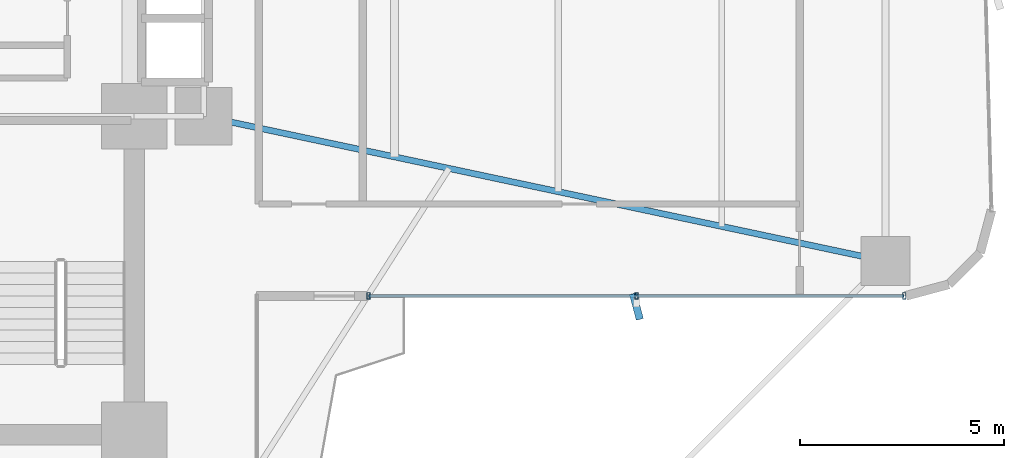
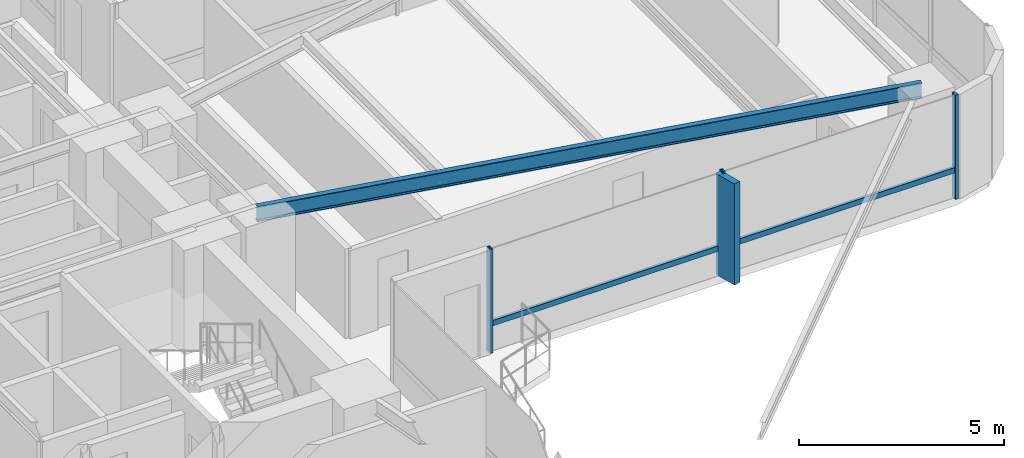
# One storey, part 14 of 25: 6 members, 1 beam, 1 element without a shape of its own.
"""IFC4 building model written with IfcOpenShell, lengths in metres."""

from ifc_helpers import new_model, si_unit, direction, frame, origin, origin_2d, place, context, subcontext, project, spatial, rectangle, hollow_rectangle, i_section, extrude, source, transform, mapped, material, material_profile, profile_set, type_object, element, aggregate, save


model = new_model("IFC4")

# Units and contexts
model_context = context("Model", 3, precision=1e-05, world=origin(), true_north=direction((0.0, 1.0)))
body_context = subcontext(model_context, "Body", "Model", "MODEL_VIEW")
ifc_project = project(units=[si_unit("LENGTHUNIT", "METRE"), si_unit("AREAUNIT", "SQUARE_METRE"), si_unit("VOLUMEUNIT", "CUBIC_METRE"), si_unit("PLANEANGLEUNIT", "RADIAN"), si_unit("MASSUNIT", "GRAM", prefix="KILO")], contexts=[model_context])

# Site, building, storey
site_placement = place(None, origin())
site = spatial("IfcSite", under=ifc_project, at=site_placement, CompositionType="ELEMENT")
building_placement = place(site_placement, origin())
building = spatial("IfcBuilding", under=site, at=building_placement, Name="Sahyath Konkavel Grand Hotel", CompositionType="ELEMENT")
storey_placement = place(building_placement, frame((0.0, 0.0, 64.449951171875)))
storey = spatial("IfcBuildingStorey", under=building, at=storey_placement, Name="L17", CompositionType="ELEMENT", Elevation=64.449951171875)

# Beam
ifc_material_1 = material(Name="Steel E350", Category="steel")
ifc_material_profile_1 = material_profile(ifc_material_1, i_section(OverallWidth=0.14990234375, OverallDepth=0.449951171875, WebThickness=0.009521484375, FlangeThickness=0.017333984375, FilletRadius=0.014892578125, at=origin_2d()), Name="ISMB 450")
ifc_profile_set_1 = profile_set([ifc_material_profile_1], Name="Steel E350")
beam_type = type_object("IfcBeamType", Name="BM-ISMB450", PredefinedType="BEAM", material=ifc_profile_set_1)
shared_shape_1 = source(origin(), body_context, "Body", "SweptSolid", [
    extrude(i_section(OverallWidth=0.14990234375, OverallDepth=0.449951171875, WebThickness=0.009521484375, FlangeThickness=0.017333984375, FilletRadius=0.014892578125, at=origin_2d()), origin(), (0.0, 0.0, 1.0), 17.072998046875),
])
beam_placement = place(storey_placement, frame((5.5, -2.39990234375, 2.885009765625), z_axis=(0.978143257225, -0.20793212437, 0.0), x_axis=(0.20793212437, 0.978143257225, 0.0)))
element("IfcBeam", 1, at=beam_placement, inside=storey, type_object=beam_type, Name="L17 Cruciform Radial Girder EA", PredefinedType="BEAM", context=body_context, shape_type="MappedRepresentation", body=[
    mapped(shared_shape_1, transform((0.0, 0.0, 0.0), scale=1.0)),
])

# Curtain wall, members
ifc_material_2 = material(Name="Anodised Bronze Aluminium & Low-E Glazing", Category="aluminium")
curtain_wall_type = type_object("IfcCurtainWallType", Name="CW-ZONE1", PredefinedType="NOTDEFINED", material=ifc_material_2)
curtain_wall_placement = place(storey_placement, origin())
curtain_wall = element("IfcCurtainWall", 2, at=curtain_wall_placement, inside=storey, type_object=curtain_wall_type, Name="L17 Unitised Curtain Wall F0", PredefinedType="NOTDEFINED")
ifc_material_3 = material(Name="Warm Buff Sandstone Cladding on Concrete C50/60", Category="masonry")
ifc_material_profile_2 = material_profile(ifc_material_3, rectangle(XDim=0.179931640625, YDim=0.64990234375, at=origin_2d()), Name="FIN 180x650")
ifc_profile_set_2 = profile_set([ifc_material_profile_2], Name="Warm Buff Sandstone Cladding on Concrete C50/60")
member_type_1 = type_object("IfcMemberType", Name="FIN-SANDSTONE-650", PredefinedType="MULLION", material=ifc_profile_set_2)
shared_shape_2 = source(origin(), body_context, "Body", "SweptSolid", [
    extrude(rectangle(XDim=0.179931640625, YDim=0.64990234375, at=origin_2d()), origin(), (0.0, 0.0, 1.0), 3.010009765625),
])
member_1_placement = place(storey_placement, frame((16.10009765625, -7.06005859375, 0.050048828125), z_axis=(0.0, 0.0, 1.0), x_axis=(0.966420942741, 0.256964124795, 0.0)))
member_1 = element("IfcMember", 3, at=member_1_placement, type_object=member_type_1, Name="L17 Sandstone Vertical Solar Fin FIN F0-1", PredefinedType="MULLION", context=body_context, shape_type="MappedRepresentation", body=[
    mapped(shared_shape_2, transform((0.0, 0.0, 0.0), scale=1.0)),
])
ifc_material_4 = material(Name="Anodised Bronze Aluminium", Category="aluminium")
ifc_material_profile_3 = material_profile(ifc_material_4, hollow_rectangle(XDim=0.080078125, YDim=0.159912109375, WallThickness=0.006103515625, at=origin_2d()), Name="RHS 160x80x6")
ifc_profile_set_3 = profile_set([ifc_material_profile_3], Name="Anodised Bronze Aluminium")
member_type_2 = type_object("IfcMemberType", Name="CW-MUL-160", PredefinedType="MULLION", material=ifc_profile_set_3)
shared_shape_3 = source(origin(), body_context, "Body", "SweptSolid", [
    extrude(hollow_rectangle(XDim=0.080078125, YDim=0.159912109375, WallThickness=0.006103515625, at=origin_2d()), origin(), (0.0, 0.0, 1.0), 3.110107421875),
])
member_2_placement = place(storey_placement, frame((9.5400390625, -6.800048828125, 0.0), z_axis=(0.0, 0.0, 1.0), x_axis=(1.0, 0.0, 0.0)))
member_2 = element("IfcMember", 4, at=member_2_placement, type_object=member_type_2, Name="L17 Curtain Wall Mullion F0-0", PredefinedType="MULLION", context=body_context, shape_type="MappedRepresentation", body=[
    mapped(shared_shape_3, transform((0.0, 0.0, 0.0), scale=1.0)),
])
member_3_placement = place(storey_placement, frame((16.10009765625, -6.800048828125, 0.0), z_axis=(0.0, 0.0, 1.0), x_axis=(1.0, 0.0, 0.0)))
member_3 = element("IfcMember", 5, at=member_3_placement, type_object=member_type_2, Name="L17 Curtain Wall Mullion F0-1", PredefinedType="MULLION", context=body_context, shape_type="MappedRepresentation", body=[
    mapped(shared_shape_3, transform((0.0, 0.0, 0.0), scale=1.0)),
])
member_4_placement = place(storey_placement, frame((22.659912109375, -6.800048828125, 0.0), z_axis=(0.0, 0.0, 1.0), x_axis=(1.0, 0.0, 0.0)))
member_4 = element("IfcMember", 6, at=member_4_placement, type_object=member_type_2, Name="L17 Curtain Wall Mullion F0-2", PredefinedType="MULLION", context=body_context, shape_type="MappedRepresentation", body=[
    mapped(shared_shape_3, transform((0.0, 0.0, 0.0), scale=1.0)),
])
ifc_material_profile_4 = material_profile(ifc_material_4, hollow_rectangle(XDim=0.080078125, YDim=0.159912109375, WallThickness=0.006103515625, at=origin_2d()), Name="RHS 160x80x6")
ifc_profile_set_4 = profile_set([ifc_material_profile_4], Name="Anodised Bronze Aluminium")
member_type_3 = type_object("IfcMemberType", Name="CW-TRN-160", PredefinedType="USERDEFINED", material=ifc_profile_set_4)
shared_shape_4 = source(origin(), body_context, "Body", "SweptSolid", [
    extrude(hollow_rectangle(XDim=0.080078125, YDim=0.159912109375, WallThickness=0.006103515625, at=origin_2d()), origin(), (0.0, 0.0, 1.0), 6.56005859375),
])
member_5_placement = place(storey_placement, frame((9.5400390625, -6.800048828125, 0.85009765625), z_axis=(1.0, 0.0, 0.0), x_axis=(0.0, 1.0, 0.0)))
member_5 = element("IfcMember", 7, at=member_5_placement, type_object=member_type_3, Name="L17 Curtain Wall Transom F0-0-spandrel", ObjectType="TRANSOM", PredefinedType="USERDEFINED", context=body_context, shape_type="MappedRepresentation", body=[
    mapped(shared_shape_4, transform((0.0, 0.0, 0.0), scale=1.0)),
])
shared_shape_5 = source(origin(), body_context, "Body", "SweptSolid", [
    extrude(hollow_rectangle(XDim=0.080078125, YDim=0.159912109375, WallThickness=0.006103515625, at=origin_2d()), origin(), (0.0, 0.0, 1.0), 6.559814453125),
])
member_6_placement = place(storey_placement, frame((16.10009765625, -6.800048828125, 0.85009765625), z_axis=(1.0, 0.0, 0.0), x_axis=(0.0, 1.0, 0.0)))
member_6 = element("IfcMember", 8, at=member_6_placement, type_object=member_type_3, Name="L17 Curtain Wall Transom F0-1-spandrel", ObjectType="TRANSOM", PredefinedType="USERDEFINED", context=body_context, shape_type="MappedRepresentation", body=[
    mapped(shared_shape_5, transform((0.0, 0.0, 0.0), scale=1.0)),
])
aggregate(curtain_wall, [member_2, member_3, member_1, member_4, member_5, member_6])

save(model, "model.ifc")
